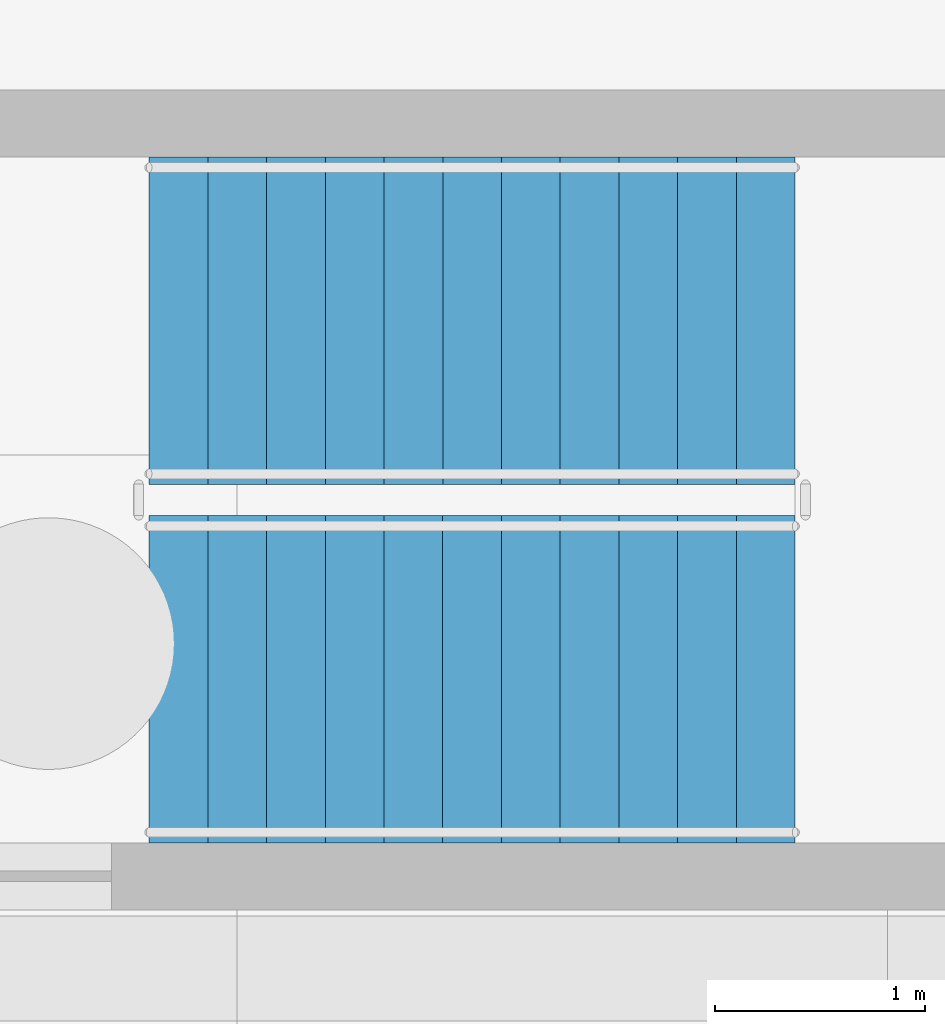
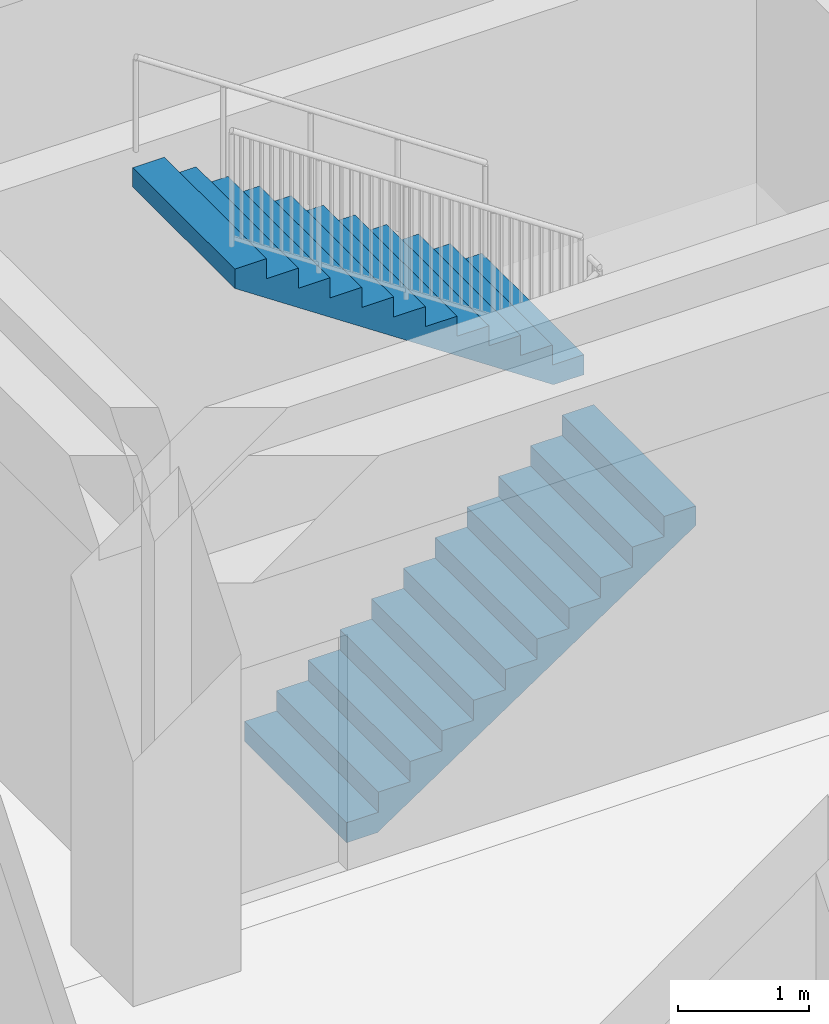
# One storey, part 40 of 49: 2 stair flights, 1 element without a shape of its own.
"""IFC4 building model written with IfcOpenShell, lengths in metres."""

from ifc_helpers import new_model, si_unit, direction, frame, origin, place, context, subcontext, project, spatial, polygons, material, type_object, element, aggregate, save


model = new_model("IFC4")

# Units and contexts
model_context = context("Model", 3, precision=1e-05, world=origin(), true_north=direction((0.0, 1.0)))
body_context = subcontext(model_context, "Body", "Model", "MODEL_VIEW")
ifc_project = project(units=[si_unit("LENGTHUNIT", "METRE"), si_unit("AREAUNIT", "SQUARE_METRE"), si_unit("VOLUMEUNIT", "CUBIC_METRE"), si_unit("PLANEANGLEUNIT", "RADIAN"), si_unit("MASSUNIT", "GRAM", prefix="KILO")], contexts=[model_context])

# Site, building, storey
site_placement = place(None, origin())
site = spatial("IfcSite", under=ifc_project, at=site_placement, CompositionType="ELEMENT")
building_placement = place(site_placement, origin())
building = spatial("IfcBuilding", under=site, at=building_placement, Name="Zantavel Square City Hall", CompositionType="ELEMENT")
storey_placement = place(building_placement, frame((0.0, 0.0, -4.5)))
storey = spatial("IfcBuildingStorey", under=building, at=storey_placement, Name="B1", CompositionType="ELEMENT", Elevation=-4.5)

# Stair, stair flights
ifc_material = material(Name="Concrete C35/45", Category="concrete")
stair_type = type_object("IfcStairType", Name="Enclosed Core Dogleg Stair B1 H4500", PredefinedType="HALF_TURN_STAIR", material=ifc_material)
stair_placement = place(storey_placement, origin())
stair = element("IfcStair", 1, at=stair_placement, inside=storey, type_object=stair_type, Name="B1 Exit Stair 5 Central West Core", PredefinedType="HALF_TURN_STAIR")
stair_flight_type = type_object("IfcStairFlightType", Name="Enclosed Core Stair Flight B1 W1560", PredefinedType="STRAIGHT", material=ifc_material)
stair_flight_1_placement = place(storey_placement, frame((66.030029296875, 62.179931640625, 0.0), z_axis=(0.0, 0.0, 1.0), x_axis=(1.0, 0.0, 0.0)))
stair_flight_1 = element("IfcStairFlight", 2, at=stair_flight_1_placement, type_object=stair_flight_type, Name="ST5 flight 1", NumberOfRisers=12, NumberOfTreads=11, PredefinedType="STRAIGHT", RiserHeight=0.1875, TreadLength=0.28, context=body_context, shape_type="Tessellation", body=[
    polygons([(0.26953125, -0.780029296875, 0.0), (3.080078125, -0.780029296875, 1.882080078125), (3.080078125, -0.780029296875, 2.0625), (2.800048828125, -0.780029296875, 2.0625), (2.800048828125, -0.780029296875, 1.875), (2.52001953125, -0.780029296875, 1.875), (2.52001953125, -0.780029296875, 1.6875), (2.239990234375, -0.780029296875, 1.6875), (2.239990234375, -0.780029296875, 1.5), (1.9599609375, -0.780029296875, 1.5), (1.9599609375, -0.780029296875, 1.3125), (1.679931640625, -0.780029296875, 1.3125), (1.679931640625, -0.780029296875, 1.125), (1.39990234375, -0.780029296875, 1.125), (1.39990234375, -0.780029296875, 0.9375), (1.1201171875, -0.780029296875, 0.9375), (1.1201171875, -0.780029296875, 0.75), (0.840087890625, -0.780029296875, 0.75), (0.840087890625, -0.780029296875, 0.5625), (0.56005859375, -0.780029296875, 0.5625), (0.56005859375, -0.780029296875, 0.375), (0.280029296875, -0.780029296875, 0.375), (0.280029296875, -0.780029296875, 0.1875), (0.0, -0.780029296875, 0.1875), (0.0, -0.780029296875, 0.0), (0.26953125, -0.5849609375, 0.0), (3.080078125, -0.5849609375, 1.882080078125), (3.080078125, -0.5849609375, 2.0625), (2.800048828125, -0.5849609375, 2.0625), (2.800048828125, -0.5849609375, 1.875), (2.52001953125, -0.5849609375, 1.875), (2.52001953125, -0.5849609375, 1.6875), (2.239990234375, -0.5849609375, 1.6875), (2.239990234375, -0.5849609375, 1.5), (1.9599609375, -0.5849609375, 1.5), (1.9599609375, -0.5849609375, 1.3125), (1.679931640625, -0.5849609375, 1.3125), (1.679931640625, -0.5849609375, 1.125), (1.39990234375, -0.5849609375, 1.125), (1.39990234375, -0.5849609375, 0.9375), (1.1201171875, -0.5849609375, 0.9375), (1.1201171875, -0.5849609375, 0.75), (0.840087890625, -0.5849609375, 0.75), (0.840087890625, -0.5849609375, 0.5625), (0.56005859375, -0.5849609375, 0.5625), (0.56005859375, -0.5849609375, 0.375), (0.280029296875, -0.5849609375, 0.375), (0.280029296875, -0.5849609375, 0.1875), (0.0, -0.5849609375, 0.1875), (0.0, -0.5849609375, 0.0), (0.26953125, -0.39013671875, 0.0), (3.080078125, -0.39013671875, 1.882080078125), (3.080078125, -0.39013671875, 2.0625), (2.800048828125, -0.39013671875, 2.0625), (2.800048828125, -0.39013671875, 1.875), (2.52001953125, -0.39013671875, 1.875), (2.52001953125, -0.39013671875, 1.6875), (2.239990234375, -0.39013671875, 1.6875), (2.239990234375, -0.39013671875, 1.5), (1.9599609375, -0.39013671875, 1.5), (1.9599609375, -0.39013671875, 1.3125), (1.679931640625, -0.39013671875, 1.3125), (1.679931640625, -0.39013671875, 1.125), (1.39990234375, -0.39013671875, 1.125), (1.39990234375, -0.39013671875, 0.9375), (1.1201171875, -0.39013671875, 0.9375), (1.1201171875, -0.39013671875, 0.75), (0.840087890625, -0.39013671875, 0.75), (0.840087890625, -0.39013671875, 0.5625), (0.56005859375, -0.39013671875, 0.5625), (0.56005859375, -0.39013671875, 0.375), (0.280029296875, -0.39013671875, 0.375), (0.280029296875, -0.39013671875, 0.1875), (0.0, -0.39013671875, 0.1875), (0.0, -0.39013671875, 0.0), (0.26953125, -0.195068359375, 0.0), (3.080078125, -0.195068359375, 1.882080078125), (3.080078125, -0.195068359375, 2.0625), (2.800048828125, -0.195068359375, 2.0625), (2.800048828125, -0.195068359375, 1.875), (2.52001953125, -0.195068359375, 1.875), (2.52001953125, -0.195068359375, 1.6875), (2.239990234375, -0.195068359375, 1.6875), (2.239990234375, -0.195068359375, 1.5), (1.9599609375, -0.195068359375, 1.5), (1.9599609375, -0.195068359375, 1.3125), (1.679931640625, -0.195068359375, 1.3125), (1.679931640625, -0.195068359375, 1.125), (1.39990234375, -0.195068359375, 1.125), (1.39990234375, -0.195068359375, 0.9375), (1.1201171875, -0.195068359375, 0.9375), (1.1201171875, -0.195068359375, 0.75), (0.840087890625, -0.195068359375, 0.75), (0.840087890625, -0.195068359375, 0.5625), (0.56005859375, -0.195068359375, 0.5625), (0.56005859375, -0.195068359375, 0.375), (0.280029296875, -0.195068359375, 0.375), (0.280029296875, -0.195068359375, 0.1875), (0.0, -0.195068359375, 0.1875), (0.0, -0.195068359375, 0.0), (0.26953125, 0.0, 0.0), (3.080078125, 0.0, 1.882080078125), (3.080078125, 0.0, 2.0625), (2.800048828125, 0.0, 2.0625), (2.800048828125, 0.0, 1.875), (2.52001953125, 0.0, 1.875), (2.52001953125, 0.0, 1.6875), (2.239990234375, 0.0, 1.6875), (2.239990234375, 0.0, 1.5), (1.9599609375, 0.0, 1.5), (1.9599609375, 0.0, 1.3125), (1.679931640625, 0.0, 1.3125), (1.679931640625, 0.0, 1.125), (1.39990234375, 0.0, 1.125), (1.39990234375, 0.0, 0.9375), (1.1201171875, 0.0, 0.9375), (1.1201171875, 0.0, 0.75), (0.840087890625, 0.0, 0.75), (0.840087890625, 0.0, 0.5625), (0.56005859375, 0.0, 0.5625), (0.56005859375, 0.0, 0.375), (0.280029296875, 0.0, 0.375), (0.280029296875, 0.0, 0.1875), (0.0, 0.0, 0.1875), (0.0, 0.0, 0.0), (0.26953125, 0.195068359375, 0.0), (3.080078125, 0.195068359375, 1.882080078125), (3.080078125, 0.195068359375, 2.0625), (2.800048828125, 0.195068359375, 2.0625), (2.800048828125, 0.195068359375, 1.875), (2.52001953125, 0.195068359375, 1.875), (2.52001953125, 0.195068359375, 1.6875), (2.239990234375, 0.195068359375, 1.6875), (2.239990234375, 0.195068359375, 1.5), (1.9599609375, 0.195068359375, 1.5), (1.9599609375, 0.195068359375, 1.3125), (1.679931640625, 0.195068359375, 1.3125), (1.679931640625, 0.195068359375, 1.125), (1.39990234375, 0.195068359375, 1.125), (1.39990234375, 0.195068359375, 0.9375), (1.1201171875, 0.195068359375, 0.9375), (1.1201171875, 0.195068359375, 0.75), (0.840087890625, 0.195068359375, 0.75), (0.840087890625, 0.195068359375, 0.5625), (0.56005859375, 0.195068359375, 0.5625), (0.56005859375, 0.195068359375, 0.375), (0.280029296875, 0.195068359375, 0.375), (0.280029296875, 0.195068359375, 0.1875), (0.0, 0.195068359375, 0.1875), (0.0, 0.195068359375, 0.0), (0.26953125, 0.39013671875, 0.0), (3.080078125, 0.39013671875, 1.882080078125), (3.080078125, 0.39013671875, 2.0625), (2.800048828125, 0.39013671875, 2.0625), (2.800048828125, 0.39013671875, 1.875), (2.52001953125, 0.39013671875, 1.875), (2.52001953125, 0.39013671875, 1.6875), (2.239990234375, 0.39013671875, 1.6875), (2.239990234375, 0.39013671875, 1.5), (1.9599609375, 0.39013671875, 1.5), (1.9599609375, 0.39013671875, 1.3125), (1.679931640625, 0.39013671875, 1.3125), (1.679931640625, 0.39013671875, 1.125), (1.39990234375, 0.39013671875, 1.125), (1.39990234375, 0.39013671875, 0.9375), (1.1201171875, 0.39013671875, 0.9375), (1.1201171875, 0.39013671875, 0.75), (0.840087890625, 0.39013671875, 0.75), (0.840087890625, 0.39013671875, 0.5625), (0.56005859375, 0.39013671875, 0.5625), (0.56005859375, 0.39013671875, 0.375), (0.280029296875, 0.39013671875, 0.375), (0.280029296875, 0.39013671875, 0.1875), (0.0, 0.39013671875, 0.1875), (0.0, 0.39013671875, 0.0), (0.26953125, 0.5849609375, 0.0), (3.080078125, 0.5849609375, 1.882080078125), (3.080078125, 0.5849609375, 2.0625), (2.800048828125, 0.5849609375, 2.0625), (2.800048828125, 0.5849609375, 1.875), (2.52001953125, 0.5849609375, 1.875), (2.52001953125, 0.5849609375, 1.6875), (2.239990234375, 0.5849609375, 1.6875), (2.239990234375, 0.5849609375, 1.5), (1.9599609375, 0.5849609375, 1.5), (1.9599609375, 0.5849609375, 1.3125), (1.679931640625, 0.5849609375, 1.3125), (1.679931640625, 0.5849609375, 1.125), (1.39990234375, 0.5849609375, 1.125), (1.39990234375, 0.5849609375, 0.9375), (1.1201171875, 0.5849609375, 0.9375), (1.1201171875, 0.5849609375, 0.75), (0.840087890625, 0.5849609375, 0.75), (0.840087890625, 0.5849609375, 0.5625), (0.56005859375, 0.5849609375, 0.5625), (0.56005859375, 0.5849609375, 0.375), (0.280029296875, 0.5849609375, 0.375), (0.280029296875, 0.5849609375, 0.1875), (0.0, 0.5849609375, 0.1875), (0.0, 0.5849609375, 0.0), (0.26953125, 0.780029296875, 0.0), (3.080078125, 0.780029296875, 1.882080078125), (3.080078125, 0.780029296875, 2.0625), (2.800048828125, 0.780029296875, 2.0625), (2.800048828125, 0.780029296875, 1.875), (2.52001953125, 0.780029296875, 1.875), (2.52001953125, 0.780029296875, 1.6875), (2.239990234375, 0.780029296875, 1.6875), (2.239990234375, 0.780029296875, 1.5), (1.9599609375, 0.780029296875, 1.5), (1.9599609375, 0.780029296875, 1.3125), (1.679931640625, 0.780029296875, 1.3125), (1.679931640625, 0.780029296875, 1.125), (1.39990234375, 0.780029296875, 1.125), (1.39990234375, 0.780029296875, 0.9375), (1.1201171875, 0.780029296875, 0.9375), (1.1201171875, 0.780029296875, 0.75), (0.840087890625, 0.780029296875, 0.75), (0.840087890625, 0.780029296875, 0.5625), (0.56005859375, 0.780029296875, 0.5625), (0.56005859375, 0.780029296875, 0.375), (0.280029296875, 0.780029296875, 0.375), (0.280029296875, 0.780029296875, 0.1875), (0.0, 0.780029296875, 0.1875), (0.0, 0.780029296875, 0.0)], [[[1, 2, 3, 4, 5, 6, 7, 8, 9, 10, 11, 12, 13, 14, 15, 16, 17, 18, 19, 20, 21, 22, 23, 24, 25]], [[225, 224, 223, 222, 221, 220, 219, 218, 217, 216, 215, 214, 213, 212, 211, 210, 209, 208, 207, 206, 205, 204, 203, 202, 201]], [[1, 26, 27]], [[1, 27, 2]], [[2, 27, 28]], [[2, 28, 3]], [[3, 28, 29]], [[3, 29, 4]], [[4, 29, 30]], [[4, 30, 5]], [[5, 30, 31]], [[5, 31, 6]], [[6, 31, 32]], [[6, 32, 7]], [[7, 32, 33]], [[7, 33, 8]], [[8, 33, 34]], [[8, 34, 9]], [[9, 34, 35]], [[9, 35, 10]], [[10, 35, 36]], [[10, 36, 11]], [[11, 36, 37]], [[11, 37, 12]], [[12, 37, 38]], [[12, 38, 13]], [[13, 38, 39]], [[13, 39, 14]], [[14, 39, 40]], [[14, 40, 15]], [[15, 40, 41]], [[15, 41, 16]], [[16, 41, 42]], [[16, 42, 17]], [[17, 42, 43]], [[17, 43, 18]], [[18, 43, 44]], [[18, 44, 19]], [[19, 44, 45]], [[19, 45, 20]], [[20, 45, 46]], [[20, 46, 21]], [[21, 46, 47]], [[21, 47, 22]], [[22, 47, 48]], [[22, 48, 23]], [[23, 48, 49]], [[23, 49, 24]], [[24, 49, 50]], [[24, 50, 25]], [[25, 50, 26]], [[25, 26, 1]], [[26, 51, 52]], [[26, 52, 27]], [[27, 52, 53]], [[27, 53, 28]], [[28, 53, 54]], [[28, 54, 29]], [[29, 54, 55]], [[29, 55, 30]], [[30, 55, 56]], [[30, 56, 31]], [[31, 56, 57]], [[31, 57, 32]], [[32, 57, 58]], [[32, 58, 33]], [[33, 58, 59]], [[33, 59, 34]], [[34, 59, 60]], [[34, 60, 35]], [[35, 60, 61]], [[35, 61, 36]], [[36, 61, 62]], [[36, 62, 37]], [[37, 62, 63]], [[37, 63, 38]], [[38, 63, 64]], [[38, 64, 39]], [[39, 64, 65]], [[39, 65, 40]], [[40, 65, 66]], [[40, 66, 41]], [[41, 66, 67]], [[41, 67, 42]], [[42, 67, 68]], [[42, 68, 43]], [[43, 68, 69]], [[43, 69, 44]], [[44, 69, 70]], [[44, 70, 45]], [[45, 70, 71]], [[45, 71, 46]], [[46, 71, 72]], [[46, 72, 47]], [[47, 72, 73]], [[47, 73, 48]], [[48, 73, 74]], [[48, 74, 49]], [[49, 74, 75]], [[49, 75, 50]], [[50, 75, 51]], [[50, 51, 26]], [[51, 76, 77]], [[51, 77, 52]], [[52, 77, 78]], [[52, 78, 53]], [[53, 78, 79]], [[53, 79, 54]], [[54, 79, 80]], [[54, 80, 55]], [[55, 80, 81]], [[55, 81, 56]], [[56, 81, 82]], [[56, 82, 57]], [[57, 82, 83]], [[57, 83, 58]], [[58, 83, 84]], [[58, 84, 59]], [[59, 84, 85]], [[59, 85, 60]], [[60, 85, 86]], [[60, 86, 61]], [[61, 86, 87]], [[61, 87, 62]], [[62, 87, 88]], [[62, 88, 63]], [[63, 88, 89]], [[63, 89, 64]], [[64, 89, 90]], [[64, 90, 65]], [[65, 90, 91]], [[65, 91, 66]], [[66, 91, 92]], [[66, 92, 67]], [[67, 92, 93]], [[67, 93, 68]], [[68, 93, 94]], [[68, 94, 69]], [[69, 94, 95]], [[69, 95, 70]], [[70, 95, 96]], [[70, 96, 71]], [[71, 96, 97]], [[71, 97, 72]], [[72, 97, 98]], [[72, 98, 73]], [[73, 98, 99]], [[73, 99, 74]], [[74, 99, 100]], [[74, 100, 75]], [[75, 100, 76]], [[75, 76, 51]], [[76, 101, 102]], [[76, 102, 77]], [[77, 102, 103]], [[77, 103, 78]], [[78, 103, 104]], [[78, 104, 79]], [[79, 104, 105]], [[79, 105, 80]], [[80, 105, 106]], [[80, 106, 81]], [[81, 106, 107]], [[81, 107, 82]], [[82, 107, 108]], [[82, 108, 83]], [[83, 108, 109]], [[83, 109, 84]], [[84, 109, 110]], [[84, 110, 85]], [[85, 110, 111]], [[85, 111, 86]], [[86, 111, 112]], [[86, 112, 87]], [[87, 112, 113]], [[87, 113, 88]], [[88, 113, 114]], [[88, 114, 89]], [[89, 114, 115]], [[89, 115, 90]], [[90, 115, 116]], [[90, 116, 91]], [[91, 116, 117]], [[91, 117, 92]], [[92, 117, 118]], [[92, 118, 93]], [[93, 118, 119]], [[93, 119, 94]], [[94, 119, 120]], [[94, 120, 95]], [[95, 120, 121]], [[95, 121, 96]], [[96, 121, 122]], [[96, 122, 97]], [[97, 122, 123]], [[97, 123, 98]], [[98, 123, 124]], [[98, 124, 99]], [[99, 124, 125]], [[99, 125, 100]], [[100, 125, 101]], [[100, 101, 76]], [[101, 126, 102]], [[126, 127, 102]], [[102, 127, 103]], [[127, 128, 103]], [[103, 128, 104]], [[128, 129, 104]], [[104, 129, 105]], [[129, 130, 105]], [[105, 130, 106]], [[130, 131, 106]], [[106, 131, 107]], [[131, 132, 107]], [[107, 132, 108]], [[132, 133, 108]], [[108, 133, 109]], [[133, 134, 109]], [[109, 134, 110]], [[134, 135, 110]], [[110, 135, 111]], [[135, 136, 111]], [[111, 136, 112]], [[136, 137, 112]], [[112, 137, 113]], [[137, 138, 113]], [[113, 138, 114]], [[138, 139, 114]], [[114, 139, 115]], [[139, 140, 115]], [[115, 140, 116]], [[140, 141, 116]], [[116, 141, 117]], [[141, 142, 117]], [[117, 142, 118]], [[142, 143, 118]], [[118, 143, 119]], [[143, 144, 119]], [[119, 144, 120]], [[144, 145, 120]], [[120, 145, 121]], [[145, 146, 121]], [[121, 146, 122]], [[146, 147, 122]], [[122, 147, 123]], [[147, 148, 123]], [[123, 148, 124]], [[148, 149, 124]], [[124, 149, 125]], [[149, 150, 125]], [[125, 150, 101]], [[150, 126, 101]], [[126, 151, 127]], [[151, 152, 127]], [[127, 152, 128]], [[152, 153, 128]], [[128, 153, 129]], [[153, 154, 129]], [[129, 154, 130]], [[154, 155, 130]], [[130, 155, 131]], [[155, 156, 131]], [[131, 156, 132]], [[156, 157, 132]], [[132, 157, 133]], [[157, 158, 133]], [[133, 158, 134]], [[158, 159, 134]], [[134, 159, 135]], [[159, 160, 135]], [[135, 160, 136]], [[160, 161, 136]], [[136, 161, 137]], [[161, 162, 137]], [[137, 162, 138]], [[162, 163, 138]], [[138, 163, 139]], [[163, 164, 139]], [[139, 164, 140]], [[164, 165, 140]], [[140, 165, 141]], [[165, 166, 141]], [[141, 166, 142]], [[166, 167, 142]], [[142, 167, 143]], [[167, 168, 143]], [[143, 168, 144]], [[168, 169, 144]], [[144, 169, 145]], [[169, 170, 145]], [[145, 170, 146]], [[170, 171, 146]], [[146, 171, 147]], [[171, 172, 147]], [[147, 172, 148]], [[172, 173, 148]], [[148, 173, 149]], [[173, 174, 149]], [[149, 174, 150]], [[174, 175, 150]], [[150, 175, 126]], [[175, 151, 126]], [[151, 176, 152]], [[176, 177, 152]], [[152, 177, 153]], [[177, 178, 153]], [[153, 178, 154]], [[178, 179, 154]], [[154, 179, 155]], [[179, 180, 155]], [[155, 180, 156]], [[180, 181, 156]], [[156, 181, 157]], [[181, 182, 157]], [[157, 182, 158]], [[182, 183, 158]], [[158, 183, 159]], [[183, 184, 159]], [[159, 184, 160]], [[184, 185, 160]], [[160, 185, 161]], [[185, 186, 161]], [[161, 186, 162]], [[186, 187, 162]], [[162, 187, 163]], [[187, 188, 163]], [[163, 188, 164]], [[188, 189, 164]], [[164, 189, 165]], [[189, 190, 165]], [[165, 190, 166]], [[190, 191, 166]], [[166, 191, 167]], [[191, 192, 167]], [[167, 192, 168]], [[192, 193, 168]], [[168, 193, 169]], [[193, 194, 169]], [[169, 194, 170]], [[194, 195, 170]], [[170, 195, 171]], [[195, 196, 171]], [[171, 196, 172]], [[196, 197, 172]], [[172, 197, 173]], [[197, 198, 173]], [[173, 198, 174]], [[198, 199, 174]], [[174, 199, 175]], [[199, 200, 175]], [[175, 200, 151]], [[200, 176, 151]], [[176, 201, 177]], [[201, 202, 177]], [[177, 202, 178]], [[202, 203, 178]], [[178, 203, 179]], [[203, 204, 179]], [[179, 204, 180]], [[204, 205, 180]], [[180, 205, 181]], [[205, 206, 181]], [[181, 206, 182]], [[206, 207, 182]], [[182, 207, 183]], [[207, 208, 183]], [[183, 208, 184]], [[208, 209, 184]], [[184, 209, 185]], [[209, 210, 185]], [[185, 210, 186]], [[210, 211, 186]], [[186, 211, 187]], [[211, 212, 187]], [[187, 212, 188]], [[212, 213, 188]], [[188, 213, 189]], [[213, 214, 189]], [[189, 214, 190]], [[214, 215, 190]], [[190, 215, 191]], [[215, 216, 191]], [[191, 216, 192]], [[216, 217, 192]], [[192, 217, 193]], [[217, 218, 193]], [[193, 218, 194]], [[218, 219, 194]], [[194, 219, 195]], [[219, 220, 195]], [[195, 220, 196]], [[220, 221, 196]], [[196, 221, 197]], [[221, 222, 197]], [[197, 222, 198]], [[222, 223, 198]], [[198, 223, 199]], [[223, 224, 199]], [[199, 224, 200]], [[224, 225, 200]], [[200, 225, 176]], [[225, 201, 176]]], closed=True),
])
stair_flight_2_placement = place(storey_placement, frame((69.110107421875, 63.889892578125, 2.25), z_axis=(0.0, 0.0, 1.0), x_axis=(-1.0, 0.0, 0.0)))
stair_flight_2 = element("IfcStairFlight", 3, at=stair_flight_2_placement, type_object=stair_flight_type, Name="ST5 flight 2", NumberOfRisers=12, NumberOfTreads=11, PredefinedType="STRAIGHT", RiserHeight=0.1875, TreadLength=0.28, context=body_context, shape_type="Tessellation", body=[
    polygons([(0.26953125, -0.780029296875, 0.0), (3.080078125, -0.780029296875, 1.882080078125), (3.080078125, -0.780029296875, 2.0625), (2.800048828125, -0.780029296875, 2.0625), (2.800048828125, -0.780029296875, 1.875), (2.52001953125, -0.780029296875, 1.875), (2.52001953125, -0.780029296875, 1.6875), (2.239990234375, -0.780029296875, 1.6875), (2.239990234375, -0.780029296875, 1.5), (1.9599609375, -0.780029296875, 1.5), (1.9599609375, -0.780029296875, 1.3125), (1.679931640625, -0.780029296875, 1.3125), (1.679931640625, -0.780029296875, 1.125), (1.39990234375, -0.780029296875, 1.125), (1.39990234375, -0.780029296875, 0.9375), (1.1201171875, -0.780029296875, 0.9375), (1.1201171875, -0.780029296875, 0.75), (0.840087890625, -0.780029296875, 0.75), (0.840087890625, -0.780029296875, 0.5625), (0.56005859375, -0.780029296875, 0.5625), (0.56005859375, -0.780029296875, 0.375), (0.280029296875, -0.780029296875, 0.375), (0.280029296875, -0.780029296875, 0.1875), (0.0, -0.780029296875, 0.1875), (0.0, -0.780029296875, 0.0), (0.26953125, -0.5849609375, 0.0), (3.080078125, -0.5849609375, 1.882080078125), (3.080078125, -0.5849609375, 2.0625), (2.800048828125, -0.5849609375, 2.0625), (2.800048828125, -0.5849609375, 1.875), (2.52001953125, -0.5849609375, 1.875), (2.52001953125, -0.5849609375, 1.6875), (2.239990234375, -0.5849609375, 1.6875), (2.239990234375, -0.5849609375, 1.5), (1.9599609375, -0.5849609375, 1.5), (1.9599609375, -0.5849609375, 1.3125), (1.679931640625, -0.5849609375, 1.3125), (1.679931640625, -0.5849609375, 1.125), (1.39990234375, -0.5849609375, 1.125), (1.39990234375, -0.5849609375, 0.9375), (1.1201171875, -0.5849609375, 0.9375), (1.1201171875, -0.5849609375, 0.75), (0.840087890625, -0.5849609375, 0.75), (0.840087890625, -0.5849609375, 0.5625), (0.56005859375, -0.5849609375, 0.5625), (0.56005859375, -0.5849609375, 0.375), (0.280029296875, -0.5849609375, 0.375), (0.280029296875, -0.5849609375, 0.1875), (0.0, -0.5849609375, 0.1875), (0.0, -0.5849609375, 0.0), (0.26953125, -0.39013671875, 0.0), (3.080078125, -0.39013671875, 1.882080078125), (3.080078125, -0.39013671875, 2.0625), (2.800048828125, -0.39013671875, 2.0625), (2.800048828125, -0.39013671875, 1.875), (2.52001953125, -0.39013671875, 1.875), (2.52001953125, -0.39013671875, 1.6875), (2.239990234375, -0.39013671875, 1.6875), (2.239990234375, -0.39013671875, 1.5), (1.9599609375, -0.39013671875, 1.5), (1.9599609375, -0.39013671875, 1.3125), (1.679931640625, -0.39013671875, 1.3125), (1.679931640625, -0.39013671875, 1.125), (1.39990234375, -0.39013671875, 1.125), (1.39990234375, -0.39013671875, 0.9375), (1.1201171875, -0.39013671875, 0.9375), (1.1201171875, -0.39013671875, 0.75), (0.840087890625, -0.39013671875, 0.75), (0.840087890625, -0.39013671875, 0.5625), (0.56005859375, -0.39013671875, 0.5625), (0.56005859375, -0.39013671875, 0.375), (0.280029296875, -0.39013671875, 0.375), (0.280029296875, -0.39013671875, 0.1875), (0.0, -0.39013671875, 0.1875), (0.0, -0.39013671875, 0.0), (0.26953125, -0.195068359375, 0.0), (3.080078125, -0.195068359375, 1.882080078125), (3.080078125, -0.195068359375, 2.0625), (2.800048828125, -0.195068359375, 2.0625), (2.800048828125, -0.195068359375, 1.875), (2.52001953125, -0.195068359375, 1.875), (2.52001953125, -0.195068359375, 1.6875), (2.239990234375, -0.195068359375, 1.6875), (2.239990234375, -0.195068359375, 1.5), (1.9599609375, -0.195068359375, 1.5), (1.9599609375, -0.195068359375, 1.3125), (1.679931640625, -0.195068359375, 1.3125), (1.679931640625, -0.195068359375, 1.125), (1.39990234375, -0.195068359375, 1.125), (1.39990234375, -0.195068359375, 0.9375), (1.1201171875, -0.195068359375, 0.9375), (1.1201171875, -0.195068359375, 0.75), (0.840087890625, -0.195068359375, 0.75), (0.840087890625, -0.195068359375, 0.5625), (0.56005859375, -0.195068359375, 0.5625), (0.56005859375, -0.195068359375, 0.375), (0.280029296875, -0.195068359375, 0.375), (0.280029296875, -0.195068359375, 0.1875), (0.0, -0.195068359375, 0.1875), (0.0, -0.195068359375, 0.0), (0.26953125, 0.0, 0.0), (3.080078125, 0.0, 1.882080078125), (3.080078125, 0.0, 2.0625), (2.800048828125, 0.0, 2.0625), (2.800048828125, 0.0, 1.875), (2.52001953125, 0.0, 1.875), (2.52001953125, 0.0, 1.6875), (2.239990234375, 0.0, 1.6875), (2.239990234375, 0.0, 1.5), (1.9599609375, 0.0, 1.5), (1.9599609375, 0.0, 1.3125), (1.679931640625, 0.0, 1.3125), (1.679931640625, 0.0, 1.125), (1.39990234375, 0.0, 1.125), (1.39990234375, 0.0, 0.9375), (1.1201171875, 0.0, 0.9375), (1.1201171875, 0.0, 0.75), (0.840087890625, 0.0, 0.75), (0.840087890625, 0.0, 0.5625), (0.56005859375, 0.0, 0.5625), (0.56005859375, 0.0, 0.375), (0.280029296875, 0.0, 0.375), (0.280029296875, 0.0, 0.1875), (0.0, 0.0, 0.1875), (0.0, 0.0, 0.0), (0.26953125, 0.195068359375, 0.0), (3.080078125, 0.195068359375, 1.882080078125), (3.080078125, 0.195068359375, 2.0625), (2.800048828125, 0.195068359375, 2.0625), (2.800048828125, 0.195068359375, 1.875), (2.52001953125, 0.195068359375, 1.875), (2.52001953125, 0.195068359375, 1.6875), (2.239990234375, 0.195068359375, 1.6875), (2.239990234375, 0.195068359375, 1.5), (1.9599609375, 0.195068359375, 1.5), (1.9599609375, 0.195068359375, 1.3125), (1.679931640625, 0.195068359375, 1.3125), (1.679931640625, 0.195068359375, 1.125), (1.39990234375, 0.195068359375, 1.125), (1.39990234375, 0.195068359375, 0.9375), (1.1201171875, 0.195068359375, 0.9375), (1.1201171875, 0.195068359375, 0.75), (0.840087890625, 0.195068359375, 0.75), (0.840087890625, 0.195068359375, 0.5625), (0.56005859375, 0.195068359375, 0.5625), (0.56005859375, 0.195068359375, 0.375), (0.280029296875, 0.195068359375, 0.375), (0.280029296875, 0.195068359375, 0.1875), (0.0, 0.195068359375, 0.1875), (0.0, 0.195068359375, 0.0), (0.26953125, 0.39013671875, 0.0), (3.080078125, 0.39013671875, 1.882080078125), (3.080078125, 0.39013671875, 2.0625), (2.800048828125, 0.39013671875, 2.0625), (2.800048828125, 0.39013671875, 1.875), (2.52001953125, 0.39013671875, 1.875), (2.52001953125, 0.39013671875, 1.6875), (2.239990234375, 0.39013671875, 1.6875), (2.239990234375, 0.39013671875, 1.5), (1.9599609375, 0.39013671875, 1.5), (1.9599609375, 0.39013671875, 1.3125), (1.679931640625, 0.39013671875, 1.3125), (1.679931640625, 0.39013671875, 1.125), (1.39990234375, 0.39013671875, 1.125), (1.39990234375, 0.39013671875, 0.9375), (1.1201171875, 0.39013671875, 0.9375), (1.1201171875, 0.39013671875, 0.75), (0.840087890625, 0.39013671875, 0.75), (0.840087890625, 0.39013671875, 0.5625), (0.56005859375, 0.39013671875, 0.5625), (0.56005859375, 0.39013671875, 0.375), (0.280029296875, 0.39013671875, 0.375), (0.280029296875, 0.39013671875, 0.1875), (0.0, 0.39013671875, 0.1875), (0.0, 0.39013671875, 0.0), (0.26953125, 0.5849609375, 0.0), (3.080078125, 0.5849609375, 1.882080078125), (3.080078125, 0.5849609375, 2.0625), (2.800048828125, 0.5849609375, 2.0625), (2.800048828125, 0.5849609375, 1.875), (2.52001953125, 0.5849609375, 1.875), (2.52001953125, 0.5849609375, 1.6875), (2.239990234375, 0.5849609375, 1.6875), (2.239990234375, 0.5849609375, 1.5), (1.9599609375, 0.5849609375, 1.5), (1.9599609375, 0.5849609375, 1.3125), (1.679931640625, 0.5849609375, 1.3125), (1.679931640625, 0.5849609375, 1.125), (1.39990234375, 0.5849609375, 1.125), (1.39990234375, 0.5849609375, 0.9375), (1.1201171875, 0.5849609375, 0.9375), (1.1201171875, 0.5849609375, 0.75), (0.840087890625, 0.5849609375, 0.75), (0.840087890625, 0.5849609375, 0.5625), (0.56005859375, 0.5849609375, 0.5625), (0.56005859375, 0.5849609375, 0.375), (0.280029296875, 0.5849609375, 0.375), (0.280029296875, 0.5849609375, 0.1875), (0.0, 0.5849609375, 0.1875), (0.0, 0.5849609375, 0.0), (0.26953125, 0.780029296875, 0.0), (3.080078125, 0.780029296875, 1.882080078125), (3.080078125, 0.780029296875, 2.0625), (2.800048828125, 0.780029296875, 2.0625), (2.800048828125, 0.780029296875, 1.875), (2.52001953125, 0.780029296875, 1.875), (2.52001953125, 0.780029296875, 1.6875), (2.239990234375, 0.780029296875, 1.6875), (2.239990234375, 0.780029296875, 1.5), (1.9599609375, 0.780029296875, 1.5), (1.9599609375, 0.780029296875, 1.3125), (1.679931640625, 0.780029296875, 1.3125), (1.679931640625, 0.780029296875, 1.125), (1.39990234375, 0.780029296875, 1.125), (1.39990234375, 0.780029296875, 0.9375), (1.1201171875, 0.780029296875, 0.9375), (1.1201171875, 0.780029296875, 0.75), (0.840087890625, 0.780029296875, 0.75), (0.840087890625, 0.780029296875, 0.5625), (0.56005859375, 0.780029296875, 0.5625), (0.56005859375, 0.780029296875, 0.375), (0.280029296875, 0.780029296875, 0.375), (0.280029296875, 0.780029296875, 0.1875), (0.0, 0.780029296875, 0.1875), (0.0, 0.780029296875, 0.0)], [[[1, 2, 3, 4, 5, 6, 7, 8, 9, 10, 11, 12, 13, 14, 15, 16, 17, 18, 19, 20, 21, 22, 23, 24, 25]], [[225, 224, 223, 222, 221, 220, 219, 218, 217, 216, 215, 214, 213, 212, 211, 210, 209, 208, 207, 206, 205, 204, 203, 202, 201]], [[1, 26, 27]], [[1, 27, 2]], [[2, 27, 28]], [[2, 28, 3]], [[3, 28, 29]], [[3, 29, 4]], [[4, 29, 30]], [[4, 30, 5]], [[5, 30, 31]], [[5, 31, 6]], [[6, 31, 32]], [[6, 32, 7]], [[7, 32, 33]], [[7, 33, 8]], [[8, 33, 34]], [[8, 34, 9]], [[9, 34, 35]], [[9, 35, 10]], [[10, 35, 36]], [[10, 36, 11]], [[11, 36, 37]], [[11, 37, 12]], [[12, 37, 38]], [[12, 38, 13]], [[13, 38, 39]], [[13, 39, 14]], [[14, 39, 40]], [[14, 40, 15]], [[15, 40, 41]], [[15, 41, 16]], [[16, 41, 42]], [[16, 42, 17]], [[17, 42, 43]], [[17, 43, 18]], [[18, 43, 44]], [[18, 44, 19]], [[19, 44, 45]], [[19, 45, 20]], [[20, 45, 46]], [[20, 46, 21]], [[21, 46, 47]], [[21, 47, 22]], [[22, 47, 48]], [[22, 48, 23]], [[23, 48, 49]], [[23, 49, 24]], [[24, 49, 50]], [[24, 50, 25]], [[25, 50, 26]], [[25, 26, 1]], [[26, 51, 52]], [[26, 52, 27]], [[27, 52, 53]], [[27, 53, 28]], [[28, 53, 54]], [[28, 54, 29]], [[29, 54, 55]], [[29, 55, 30]], [[30, 55, 56]], [[30, 56, 31]], [[31, 56, 57]], [[31, 57, 32]], [[32, 57, 58]], [[32, 58, 33]], [[33, 58, 59]], [[33, 59, 34]], [[34, 59, 60]], [[34, 60, 35]], [[35, 60, 61]], [[35, 61, 36]], [[36, 61, 62]], [[36, 62, 37]], [[37, 62, 63]], [[37, 63, 38]], [[38, 63, 64]], [[38, 64, 39]], [[39, 64, 65]], [[39, 65, 40]], [[40, 65, 66]], [[40, 66, 41]], [[41, 66, 67]], [[41, 67, 42]], [[42, 67, 68]], [[42, 68, 43]], [[43, 68, 69]], [[43, 69, 44]], [[44, 69, 70]], [[44, 70, 45]], [[45, 70, 71]], [[45, 71, 46]], [[46, 71, 72]], [[46, 72, 47]], [[47, 72, 73]], [[47, 73, 48]], [[48, 73, 74]], [[48, 74, 49]], [[49, 74, 75]], [[49, 75, 50]], [[50, 75, 51]], [[50, 51, 26]], [[51, 76, 77]], [[51, 77, 52]], [[52, 77, 78]], [[52, 78, 53]], [[53, 78, 79]], [[53, 79, 54]], [[54, 79, 80]], [[54, 80, 55]], [[55, 80, 81]], [[55, 81, 56]], [[56, 81, 82]], [[56, 82, 57]], [[57, 82, 83]], [[57, 83, 58]], [[58, 83, 84]], [[58, 84, 59]], [[59, 84, 85]], [[59, 85, 60]], [[60, 85, 86]], [[60, 86, 61]], [[61, 86, 87]], [[61, 87, 62]], [[62, 87, 88]], [[62, 88, 63]], [[63, 88, 89]], [[63, 89, 64]], [[64, 89, 90]], [[64, 90, 65]], [[65, 90, 91]], [[65, 91, 66]], [[66, 91, 92]], [[66, 92, 67]], [[67, 92, 93]], [[67, 93, 68]], [[68, 93, 94]], [[68, 94, 69]], [[69, 94, 95]], [[69, 95, 70]], [[70, 95, 96]], [[70, 96, 71]], [[71, 96, 97]], [[71, 97, 72]], [[72, 97, 98]], [[72, 98, 73]], [[73, 98, 99]], [[73, 99, 74]], [[74, 99, 100]], [[74, 100, 75]], [[75, 100, 76]], [[75, 76, 51]], [[76, 101, 102]], [[76, 102, 77]], [[77, 102, 103]], [[77, 103, 78]], [[78, 103, 104]], [[78, 104, 79]], [[79, 104, 105]], [[79, 105, 80]], [[80, 105, 106]], [[80, 106, 81]], [[81, 106, 107]], [[81, 107, 82]], [[82, 107, 108]], [[82, 108, 83]], [[83, 108, 109]], [[83, 109, 84]], [[84, 109, 110]], [[84, 110, 85]], [[85, 110, 111]], [[85, 111, 86]], [[86, 111, 112]], [[86, 112, 87]], [[87, 112, 113]], [[87, 113, 88]], [[88, 113, 114]], [[88, 114, 89]], [[89, 114, 115]], [[89, 115, 90]], [[90, 115, 116]], [[90, 116, 91]], [[91, 116, 117]], [[91, 117, 92]], [[92, 117, 118]], [[92, 118, 93]], [[93, 118, 119]], [[93, 119, 94]], [[94, 119, 120]], [[94, 120, 95]], [[95, 120, 121]], [[95, 121, 96]], [[96, 121, 122]], [[96, 122, 97]], [[97, 122, 123]], [[97, 123, 98]], [[98, 123, 124]], [[98, 124, 99]], [[99, 124, 125]], [[99, 125, 100]], [[100, 125, 101]], [[100, 101, 76]], [[101, 126, 102]], [[126, 127, 102]], [[102, 127, 103]], [[127, 128, 103]], [[103, 128, 104]], [[128, 129, 104]], [[104, 129, 105]], [[129, 130, 105]], [[105, 130, 106]], [[130, 131, 106]], [[106, 131, 107]], [[131, 132, 107]], [[107, 132, 108]], [[132, 133, 108]], [[108, 133, 109]], [[133, 134, 109]], [[109, 134, 110]], [[134, 135, 110]], [[110, 135, 111]], [[135, 136, 111]], [[111, 136, 112]], [[136, 137, 112]], [[112, 137, 113]], [[137, 138, 113]], [[113, 138, 114]], [[138, 139, 114]], [[114, 139, 115]], [[139, 140, 115]], [[115, 140, 116]], [[140, 141, 116]], [[116, 141, 117]], [[141, 142, 117]], [[117, 142, 118]], [[142, 143, 118]], [[118, 143, 119]], [[143, 144, 119]], [[119, 144, 120]], [[144, 145, 120]], [[120, 145, 121]], [[145, 146, 121]], [[121, 146, 122]], [[146, 147, 122]], [[122, 147, 123]], [[147, 148, 123]], [[123, 148, 124]], [[148, 149, 124]], [[124, 149, 125]], [[149, 150, 125]], [[125, 150, 101]], [[150, 126, 101]], [[126, 151, 127]], [[151, 152, 127]], [[127, 152, 128]], [[152, 153, 128]], [[128, 153, 129]], [[153, 154, 129]], [[129, 154, 130]], [[154, 155, 130]], [[130, 155, 131]], [[155, 156, 131]], [[131, 156, 132]], [[156, 157, 132]], [[132, 157, 133]], [[157, 158, 133]], [[133, 158, 134]], [[158, 159, 134]], [[134, 159, 135]], [[159, 160, 135]], [[135, 160, 136]], [[160, 161, 136]], [[136, 161, 137]], [[161, 162, 137]], [[137, 162, 138]], [[162, 163, 138]], [[138, 163, 139]], [[163, 164, 139]], [[139, 164, 140]], [[164, 165, 140]], [[140, 165, 141]], [[165, 166, 141]], [[141, 166, 142]], [[166, 167, 142]], [[142, 167, 143]], [[167, 168, 143]], [[143, 168, 144]], [[168, 169, 144]], [[144, 169, 145]], [[169, 170, 145]], [[145, 170, 146]], [[170, 171, 146]], [[146, 171, 147]], [[171, 172, 147]], [[147, 172, 148]], [[172, 173, 148]], [[148, 173, 149]], [[173, 174, 149]], [[149, 174, 150]], [[174, 175, 150]], [[150, 175, 126]], [[175, 151, 126]], [[151, 176, 152]], [[176, 177, 152]], [[152, 177, 153]], [[177, 178, 153]], [[153, 178, 154]], [[178, 179, 154]], [[154, 179, 155]], [[179, 180, 155]], [[155, 180, 156]], [[180, 181, 156]], [[156, 181, 157]], [[181, 182, 157]], [[157, 182, 158]], [[182, 183, 158]], [[158, 183, 159]], [[183, 184, 159]], [[159, 184, 160]], [[184, 185, 160]], [[160, 185, 161]], [[185, 186, 161]], [[161, 186, 162]], [[186, 187, 162]], [[162, 187, 163]], [[187, 188, 163]], [[163, 188, 164]], [[188, 189, 164]], [[164, 189, 165]], [[189, 190, 165]], [[165, 190, 166]], [[190, 191, 166]], [[166, 191, 167]], [[191, 192, 167]], [[167, 192, 168]], [[192, 193, 168]], [[168, 193, 169]], [[193, 194, 169]], [[169, 194, 170]], [[194, 195, 170]], [[170, 195, 171]], [[195, 196, 171]], [[171, 196, 172]], [[196, 197, 172]], [[172, 197, 173]], [[197, 198, 173]], [[173, 198, 174]], [[198, 199, 174]], [[174, 199, 175]], [[199, 200, 175]], [[175, 200, 151]], [[200, 176, 151]], [[176, 201, 177]], [[201, 202, 177]], [[177, 202, 178]], [[202, 203, 178]], [[178, 203, 179]], [[203, 204, 179]], [[179, 204, 180]], [[204, 205, 180]], [[180, 205, 181]], [[205, 206, 181]], [[181, 206, 182]], [[206, 207, 182]], [[182, 207, 183]], [[207, 208, 183]], [[183, 208, 184]], [[208, 209, 184]], [[184, 209, 185]], [[209, 210, 185]], [[185, 210, 186]], [[210, 211, 186]], [[186, 211, 187]], [[211, 212, 187]], [[187, 212, 188]], [[212, 213, 188]], [[188, 213, 189]], [[213, 214, 189]], [[189, 214, 190]], [[214, 215, 190]], [[190, 215, 191]], [[215, 216, 191]], [[191, 216, 192]], [[216, 217, 192]], [[192, 217, 193]], [[217, 218, 193]], [[193, 218, 194]], [[218, 219, 194]], [[194, 219, 195]], [[219, 220, 195]], [[195, 220, 196]], [[220, 221, 196]], [[196, 221, 197]], [[221, 222, 197]], [[197, 222, 198]], [[222, 223, 198]], [[198, 223, 199]], [[223, 224, 199]], [[199, 224, 200]], [[224, 225, 200]], [[200, 225, 176]], [[225, 201, 176]]], closed=True),
])
aggregate(stair, [stair_flight_1, stair_flight_2])

save(model, "model.ifc")
